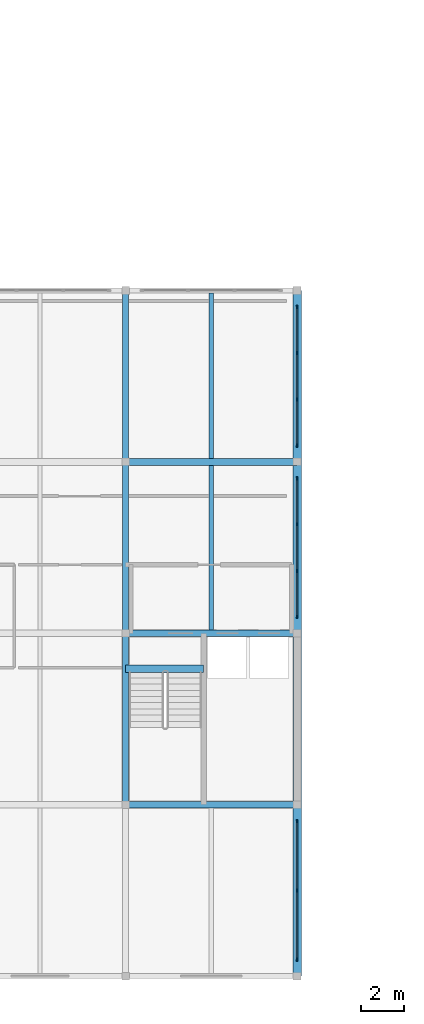
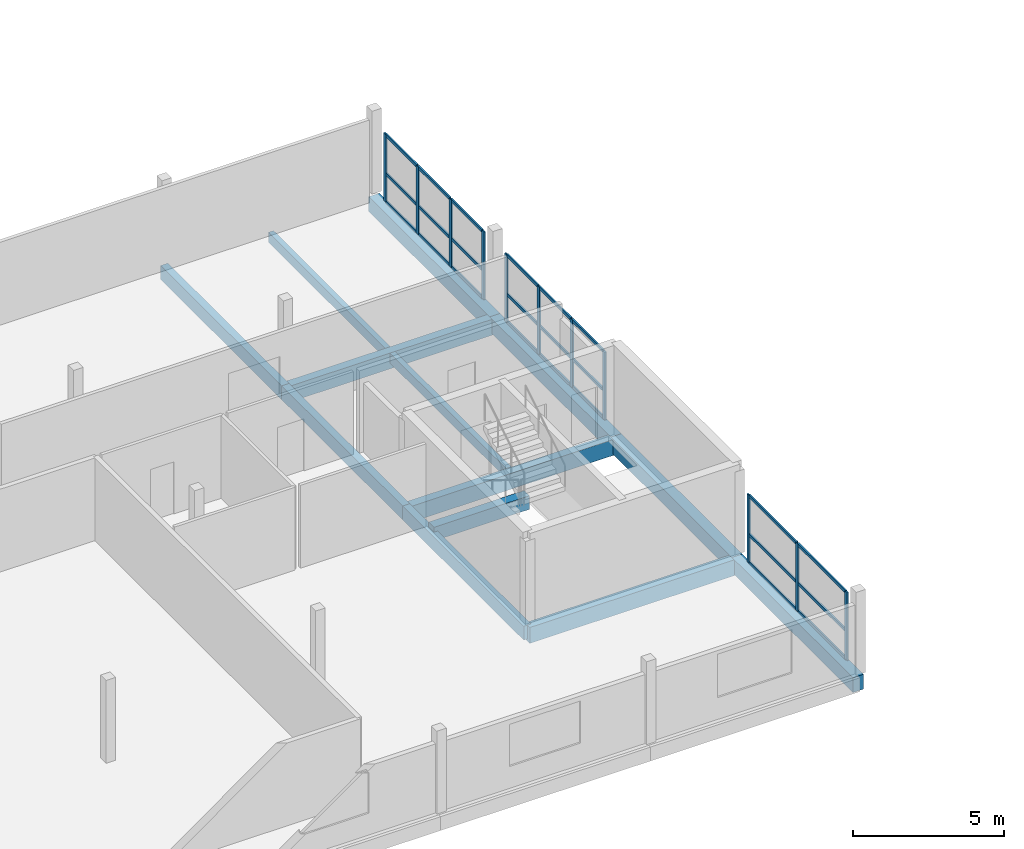
# One storey, part 5 of 22: 35 members, 13 beams, 3 elements without a shape of their own.
"""IFC4 building model written with IfcOpenShell, lengths in metres."""

from ifc_helpers import new_model, si_unit, direction, frame, origin, origin_2d, place, context, subcontext, project, spatial, rectangle, extrude, material, material_profile, profile_set, type_object, element, aggregate, save


model = new_model("IFC4")

# Units and contexts
model_context = context("Model", 3, precision=1e-05, world=origin(), true_north=direction((0.0, 1.0)))
body_context = subcontext(model_context, "Body", "Model", "MODEL_VIEW")
ifc_project = project(units=[si_unit("LENGTHUNIT", "METRE"), si_unit("AREAUNIT", "SQUARE_METRE"), si_unit("VOLUMEUNIT", "CUBIC_METRE"), si_unit("PLANEANGLEUNIT", "RADIAN"), si_unit("MASSUNIT", "GRAM", prefix="KILO")], contexts=[model_context])

# Site, building, storey
site_placement = place(None, origin())
site = spatial("IfcSite", under=ifc_project, at=site_placement, CompositionType="ELEMENT")
building_placement = place(site_placement, origin())
building = spatial("IfcBuilding", under=site, at=building_placement, Name="Vharandega Faculty of Natural Sciences", CompositionType="ELEMENT")
storey_placement = place(building_placement, frame((0.0, 0.0, 28.800048828125)))
storey = spatial("IfcBuildingStorey", under=building, at=storey_placement, Name="L07", CompositionType="ELEMENT", Elevation=28.800048828125)

# Curtain wall, members
ifc_material_1 = material(Name="Aluminium and solar-control glass curtain wall", Category="aluminium")
curtain_wall_type_1 = type_object("IfcCurtainWallType", Name="Unitised Curtain Wall System CW-04", PredefinedType="NOTDEFINED", material=ifc_material_1)
curtain_wall_1_placement = place(storey_placement, origin())
curtain_wall_1 = element("IfcCurtainWall", 1, at=curtain_wall_1_placement, inside=storey, type_object=curtain_wall_type_1, Name="Curtain Wall CW-L07-227", PredefinedType="NOTDEFINED")
ifc_material_2 = material(Name="Thermally broken aluminium 6063-T6", Category="aluminium")
ifc_material_profile_1 = material_profile(ifc_material_2, rectangle(XDim=0.06005859375, YDim=0.159912109375, at=origin_2d()), Name="ALU 60x160")
ifc_profile_set_1 = profile_set([ifc_material_profile_1], Name="Thermally broken aluminium 6063-T6")
member_type_1 = type_object("IfcMemberType", Name="CW Mullion 60x160", PredefinedType="MULLION", material=ifc_profile_set_1)
member_1_placement = place(storey_placement, frame((40.0, 32.77001953125, 0.0), z_axis=(0.0, 0.0, 1.0), x_axis=(-1.0, 0.0, 0.0)))
member_1 = element("IfcMember", 2, at=member_1_placement, type_object=member_type_1, Name="CW-04 mullion 1", PredefinedType="MULLION", context=body_context, shape_type="SweptSolid", body=[
    extrude(rectangle(XDim=0.06005859375, YDim=0.159912109375, at=origin_2d()), origin(), (0.0, 0.0, 1.0), 2.739990234375),
])
member_2_placement = place(storey_placement, frame((40.0, 36.0, 0.0), z_axis=(0.0, 0.0, 1.0), x_axis=(-1.0, 0.0, 0.0)))
member_2 = element("IfcMember", 3, at=member_2_placement, type_object=member_type_1, Name="CW-04 mullion 2", PredefinedType="MULLION", context=body_context, shape_type="SweptSolid", body=[
    extrude(rectangle(XDim=0.06005859375, YDim=0.159912109375, at=origin_2d()), origin(), (0.0, 0.0, 1.0), 2.739990234375),
])
member_3_placement = place(storey_placement, frame((40.0, 39.22998046875, 0.0), z_axis=(0.0, 0.0, 1.0), x_axis=(-1.0, 0.0, 0.0)))
member_3 = element("IfcMember", 4, at=member_3_placement, type_object=member_type_1, Name="CW-04 mullion 3", PredefinedType="MULLION", context=body_context, shape_type="SweptSolid", body=[
    extrude(rectangle(XDim=0.06005859375, YDim=0.159912109375, at=origin_2d()), origin(), (0.0, 0.0, 1.0), 2.739990234375),
])

ifc_material_3 = material(Name="Aluminium and solar-control glass curtain wall", Category="aluminium")
curtain_wall_type_2 = type_object("IfcCurtainWallType", Name="Unitised Curtain Wall System CW-05", PredefinedType="NOTDEFINED", material=ifc_material_3)
curtain_wall_2_placement = place(storey_placement, origin())
curtain_wall_2 = element("IfcCurtainWall", 5, at=curtain_wall_2_placement, inside=storey, type_object=curtain_wall_type_2, Name="Curtain Wall CW-L07-228", PredefinedType="NOTDEFINED")
member_4_placement = place(storey_placement, frame((40.0, 48.77001953125, 0.0), z_axis=(0.0, 0.0, 1.0), x_axis=(-1.0, 0.0, 0.0)))
member_4 = element("IfcMember", 6, at=member_4_placement, type_object=member_type_1, Name="CW-05 mullion 1", PredefinedType="MULLION", context=body_context, shape_type="SweptSolid", body=[
    extrude(rectangle(XDim=0.06005859375, YDim=0.159912109375, at=origin_2d()), origin(), (0.0, 0.0, 1.0), 2.739990234375),
])
member_5_placement = place(storey_placement, frame((40.0, 50.913330078125, 0.0), z_axis=(0.0, 0.0, 1.0), x_axis=(-1.0, 0.0, 0.0)))
member_5 = element("IfcMember", 7, at=member_5_placement, type_object=member_type_1, Name="CW-05 mullion 2", PredefinedType="MULLION", context=body_context, shape_type="SweptSolid", body=[
    extrude(rectangle(XDim=0.06005859375, YDim=0.159912109375, at=origin_2d()), origin(), (0.0, 0.0, 1.0), 2.739990234375),
])
member_6_placement = place(storey_placement, frame((40.0, 53.086669921875, 0.0), z_axis=(0.0, 0.0, 1.0), x_axis=(-1.0, 0.0, 0.0)))
member_6 = element("IfcMember", 8, at=member_6_placement, type_object=member_type_1, Name="CW-05 mullion 3", PredefinedType="MULLION", context=body_context, shape_type="SweptSolid", body=[
    extrude(rectangle(XDim=0.06005859375, YDim=0.159912109375, at=origin_2d()), origin(), (0.0, 0.0, 1.0), 2.739990234375),
])
member_7_placement = place(storey_placement, frame((40.0, 55.22998046875, 0.0), z_axis=(0.0, 0.0, 1.0), x_axis=(-1.0, 0.0, 0.0)))
member_7 = element("IfcMember", 9, at=member_7_placement, type_object=member_type_1, Name="CW-05 mullion 4", PredefinedType="MULLION", context=body_context, shape_type="SweptSolid", body=[
    extrude(rectangle(XDim=0.06005859375, YDim=0.159912109375, at=origin_2d()), origin(), (0.0, 0.0, 1.0), 2.739990234375),
])

ifc_material_4 = material(Name="Aluminium and solar-control glass curtain wall", Category="aluminium")
curtain_wall_type_3 = type_object("IfcCurtainWallType", Name="Unitised Curtain Wall System CW-06", PredefinedType="NOTDEFINED", material=ifc_material_4)
curtain_wall_3_placement = place(storey_placement, origin())
curtain_wall_3 = element("IfcCurtainWall", 10, at=curtain_wall_3_placement, inside=storey, type_object=curtain_wall_type_3, Name="Curtain Wall CW-L07-229", PredefinedType="NOTDEFINED")
member_8_placement = place(storey_placement, frame((40.0, 56.77001953125, 0.0), z_axis=(0.0, 0.0, 1.0), x_axis=(-1.0, 0.0, 0.0)))
member_8 = element("IfcMember", 11, at=member_8_placement, type_object=member_type_1, Name="CW-06 mullion 1", PredefinedType="MULLION", context=body_context, shape_type="SweptSolid", body=[
    extrude(rectangle(XDim=0.06005859375, YDim=0.159912109375, at=origin_2d()), origin(), (0.0, 0.0, 1.0), 2.739990234375),
])
member_9_placement = place(storey_placement, frame((40.0, 58.913330078125, 0.0), z_axis=(0.0, 0.0, 1.0), x_axis=(-1.0, 0.0, 0.0)))
member_9 = element("IfcMember", 12, at=member_9_placement, type_object=member_type_1, Name="CW-06 mullion 2", PredefinedType="MULLION", context=body_context, shape_type="SweptSolid", body=[
    extrude(rectangle(XDim=0.06005859375, YDim=0.159912109375, at=origin_2d()), origin(), (0.0, 0.0, 1.0), 2.739990234375),
])
member_10_placement = place(storey_placement, frame((40.0, 61.086669921875, 0.0), z_axis=(0.0, 0.0, 1.0), x_axis=(-1.0, 0.0, 0.0)))
member_10 = element("IfcMember", 13, at=member_10_placement, type_object=member_type_1, Name="CW-06 mullion 3", PredefinedType="MULLION", context=body_context, shape_type="SweptSolid", body=[
    extrude(rectangle(XDim=0.06005859375, YDim=0.159912109375, at=origin_2d()), origin(), (0.0, 0.0, 1.0), 2.739990234375),
])
member_11_placement = place(storey_placement, frame((40.0, 63.22998046875, 0.0), z_axis=(0.0, 0.0, 1.0), x_axis=(-1.0, 0.0, 0.0)))
member_11 = element("IfcMember", 14, at=member_11_placement, type_object=member_type_1, Name="CW-06 mullion 4", PredefinedType="MULLION", context=body_context, shape_type="SweptSolid", body=[
    extrude(rectangle(XDim=0.06005859375, YDim=0.159912109375, at=origin_2d()), origin(), (0.0, 0.0, 1.0), 2.739990234375),
])

# Member
ifc_material_5 = material(Name="Thermally broken aluminium 6063-T6", Category="aluminium")
ifc_material_profile_2 = material_profile(ifc_material_5, rectangle(XDim=0.06005859375, YDim=0.1201171875, at=origin_2d()), Name="ALU 60x120")
ifc_profile_set_2 = profile_set([ifc_material_profile_2], Name="Thermally broken aluminium 6063-T6")
member_type_2 = type_object("IfcMemberType", Name="CW Transom 60x120", PredefinedType="USERDEFINED", material=ifc_profile_set_2)
member_12_placement = place(storey_placement, frame((40.0, 32.800048828125, 0.030029296875), z_axis=(0.0, 1.0, 0.0), x_axis=(-1.0, 0.0, 0.0)))
member_12 = element("IfcMember", 15, at=member_12_placement, type_object=member_type_2, Name="CW-04 transom 1.1", ObjectType="TRANSOM", PredefinedType="USERDEFINED", context=body_context, shape_type="SweptSolid", body=[
    extrude(rectangle(XDim=0.06005859375, YDim=0.1201171875, at=origin_2d()), origin(), (0.0, 0.0, 1.0), 3.169921875),
])

member_13_placement = place(storey_placement, frame((40.0, 32.800048828125, 1.150634765625), z_axis=(0.0, 1.0, 0.0), x_axis=(-1.0, 0.0, 0.0)))
member_13 = element("IfcMember", 16, at=member_13_placement, type_object=member_type_2, Name="CW-04 transom 1.2", ObjectType="TRANSOM", PredefinedType="USERDEFINED", context=body_context, shape_type="SweptSolid", body=[
    extrude(rectangle(XDim=0.06005859375, YDim=0.1201171875, at=origin_2d()), origin(), (0.0, 0.0, 1.0), 3.169921875),
])

member_14_placement = place(storey_placement, frame((40.0, 32.800048828125, 2.7099609375), z_axis=(0.0, 1.0, 0.0), x_axis=(-1.0, 0.0, 0.0)))
member_14 = element("IfcMember", 17, at=member_14_placement, type_object=member_type_2, Name="CW-04 transom 1.3", ObjectType="TRANSOM", PredefinedType="USERDEFINED", context=body_context, shape_type="SweptSolid", body=[
    extrude(rectangle(XDim=0.06005859375, YDim=0.1201171875, at=origin_2d()), origin(), (0.0, 0.0, 1.0), 3.169921875),
])

member_15_placement = place(storey_placement, frame((40.0, 36.030029296875, 0.030029296875), z_axis=(0.0, 1.0, 0.0), x_axis=(-1.0, 0.0, 0.0)))
member_15 = element("IfcMember", 18, at=member_15_placement, type_object=member_type_2, Name="CW-04 transom 2.1", ObjectType="TRANSOM", PredefinedType="USERDEFINED", context=body_context, shape_type="SweptSolid", body=[
    extrude(rectangle(XDim=0.06005859375, YDim=0.1201171875, at=origin_2d()), origin(), (0.0, 0.0, 1.0), 3.169921875),
])

member_16_placement = place(storey_placement, frame((40.0, 36.030029296875, 1.150634765625), z_axis=(0.0, 1.0, 0.0), x_axis=(-1.0, 0.0, 0.0)))
member_16 = element("IfcMember", 19, at=member_16_placement, type_object=member_type_2, Name="CW-04 transom 2.2", ObjectType="TRANSOM", PredefinedType="USERDEFINED", context=body_context, shape_type="SweptSolid", body=[
    extrude(rectangle(XDim=0.06005859375, YDim=0.1201171875, at=origin_2d()), origin(), (0.0, 0.0, 1.0), 3.169921875),
])

member_17_placement = place(storey_placement, frame((40.0, 36.030029296875, 2.7099609375), z_axis=(0.0, 1.0, 0.0), x_axis=(-1.0, 0.0, 0.0)))
member_17 = element("IfcMember", 20, at=member_17_placement, type_object=member_type_2, Name="CW-04 transom 2.3", ObjectType="TRANSOM", PredefinedType="USERDEFINED", context=body_context, shape_type="SweptSolid", body=[
    extrude(rectangle(XDim=0.06005859375, YDim=0.1201171875, at=origin_2d()), origin(), (0.0, 0.0, 1.0), 3.169921875),
])

aggregate(curtain_wall_1, [member_1, member_2, member_3, member_12, member_13, member_14, member_15, member_16, member_17])

member_18_placement = place(storey_placement, frame((40.0, 48.800048828125, 0.030029296875), z_axis=(0.0, 1.0, 0.0), x_axis=(-1.0, 0.0, 0.0)))
member_18 = element("IfcMember", 21, at=member_18_placement, type_object=member_type_2, Name="CW-05 transom 1.1", ObjectType="TRANSOM", PredefinedType="USERDEFINED", context=body_context, shape_type="SweptSolid", body=[
    extrude(rectangle(XDim=0.06005859375, YDim=0.1201171875, at=origin_2d()), origin(), (0.0, 0.0, 1.0), 2.083251953125),
])

member_19_placement = place(storey_placement, frame((40.0, 48.800048828125, 1.150634765625), z_axis=(0.0, 1.0, 0.0), x_axis=(-1.0, 0.0, 0.0)))
member_19 = element("IfcMember", 22, at=member_19_placement, type_object=member_type_2, Name="CW-05 transom 1.2", ObjectType="TRANSOM", PredefinedType="USERDEFINED", context=body_context, shape_type="SweptSolid", body=[
    extrude(rectangle(XDim=0.06005859375, YDim=0.1201171875, at=origin_2d()), origin(), (0.0, 0.0, 1.0), 2.083251953125),
])

member_20_placement = place(storey_placement, frame((40.0, 48.800048828125, 2.7099609375), z_axis=(0.0, 1.0, 0.0), x_axis=(-1.0, 0.0, 0.0)))
member_20 = element("IfcMember", 23, at=member_20_placement, type_object=member_type_2, Name="CW-05 transom 1.3", ObjectType="TRANSOM", PredefinedType="USERDEFINED", context=body_context, shape_type="SweptSolid", body=[
    extrude(rectangle(XDim=0.06005859375, YDim=0.1201171875, at=origin_2d()), origin(), (0.0, 0.0, 1.0), 2.083251953125),
])

member_21_placement = place(storey_placement, frame((40.0, 50.943359375, 0.030029296875), z_axis=(0.0, 1.0, 0.0), x_axis=(-1.0, 0.0, 0.0)))
member_21 = element("IfcMember", 24, at=member_21_placement, type_object=member_type_2, Name="CW-05 transom 2.1", ObjectType="TRANSOM", PredefinedType="USERDEFINED", context=body_context, shape_type="SweptSolid", body=[
    extrude(rectangle(XDim=0.06005859375, YDim=0.1201171875, at=origin_2d()), origin(), (0.0, 0.0, 1.0), 2.11328125),
])

member_22_placement = place(storey_placement, frame((40.0, 50.943359375, 1.150634765625), z_axis=(0.0, 1.0, 0.0), x_axis=(-1.0, 0.0, 0.0)))
member_22 = element("IfcMember", 25, at=member_22_placement, type_object=member_type_2, Name="CW-05 transom 2.2", ObjectType="TRANSOM", PredefinedType="USERDEFINED", context=body_context, shape_type="SweptSolid", body=[
    extrude(rectangle(XDim=0.06005859375, YDim=0.1201171875, at=origin_2d()), origin(), (0.0, 0.0, 1.0), 2.11328125),
])

member_23_placement = place(storey_placement, frame((40.0, 50.943359375, 2.7099609375), z_axis=(0.0, 1.0, 0.0), x_axis=(-1.0, 0.0, 0.0)))
member_23 = element("IfcMember", 26, at=member_23_placement, type_object=member_type_2, Name="CW-05 transom 2.3", ObjectType="TRANSOM", PredefinedType="USERDEFINED", context=body_context, shape_type="SweptSolid", body=[
    extrude(rectangle(XDim=0.06005859375, YDim=0.1201171875, at=origin_2d()), origin(), (0.0, 0.0, 1.0), 2.11328125),
])

member_24_placement = place(storey_placement, frame((40.0, 53.11669921875, 0.030029296875), z_axis=(0.0, 1.0, 0.0), x_axis=(-1.0, 0.0, 0.0)))
member_24 = element("IfcMember", 27, at=member_24_placement, type_object=member_type_2, Name="CW-05 transom 3.1", ObjectType="TRANSOM", PredefinedType="USERDEFINED", context=body_context, shape_type="SweptSolid", body=[
    extrude(rectangle(XDim=0.06005859375, YDim=0.1201171875, at=origin_2d()), origin(), (0.0, 0.0, 1.0), 2.083251953125),
])

member_25_placement = place(storey_placement, frame((40.0, 53.11669921875, 1.150634765625), z_axis=(0.0, 1.0, 0.0), x_axis=(-1.0, 0.0, 0.0)))
member_25 = element("IfcMember", 28, at=member_25_placement, type_object=member_type_2, Name="CW-05 transom 3.2", ObjectType="TRANSOM", PredefinedType="USERDEFINED", context=body_context, shape_type="SweptSolid", body=[
    extrude(rectangle(XDim=0.06005859375, YDim=0.1201171875, at=origin_2d()), origin(), (0.0, 0.0, 1.0), 2.083251953125),
])

member_26_placement = place(storey_placement, frame((40.0, 53.11669921875, 2.7099609375), z_axis=(0.0, 1.0, 0.0), x_axis=(-1.0, 0.0, 0.0)))
member_26 = element("IfcMember", 29, at=member_26_placement, type_object=member_type_2, Name="CW-05 transom 3.3", ObjectType="TRANSOM", PredefinedType="USERDEFINED", context=body_context, shape_type="SweptSolid", body=[
    extrude(rectangle(XDim=0.06005859375, YDim=0.1201171875, at=origin_2d()), origin(), (0.0, 0.0, 1.0), 2.083251953125),
])

aggregate(curtain_wall_2, [member_4, member_5, member_6, member_7, member_18, member_19, member_20, member_21, member_22, member_23, member_24, member_25, member_26])

member_27_placement = place(storey_placement, frame((40.0, 56.800048828125, 0.030029296875), z_axis=(0.0, 1.0, 0.0), x_axis=(-1.0, 0.0, 0.0)))
member_27 = element("IfcMember", 30, at=member_27_placement, type_object=member_type_2, Name="CW-06 transom 1.1", ObjectType="TRANSOM", PredefinedType="USERDEFINED", context=body_context, shape_type="SweptSolid", body=[
    extrude(rectangle(XDim=0.06005859375, YDim=0.1201171875, at=origin_2d()), origin(), (0.0, 0.0, 1.0), 2.083251953125),
])

member_28_placement = place(storey_placement, frame((40.0, 56.800048828125, 1.150634765625), z_axis=(0.0, 1.0, 0.0), x_axis=(-1.0, 0.0, 0.0)))
member_28 = element("IfcMember", 31, at=member_28_placement, type_object=member_type_2, Name="CW-06 transom 1.2", ObjectType="TRANSOM", PredefinedType="USERDEFINED", context=body_context, shape_type="SweptSolid", body=[
    extrude(rectangle(XDim=0.06005859375, YDim=0.1201171875, at=origin_2d()), origin(), (0.0, 0.0, 1.0), 2.083251953125),
])

member_29_placement = place(storey_placement, frame((40.0, 56.800048828125, 2.7099609375), z_axis=(0.0, 1.0, 0.0), x_axis=(-1.0, 0.0, 0.0)))
member_29 = element("IfcMember", 32, at=member_29_placement, type_object=member_type_2, Name="CW-06 transom 1.3", ObjectType="TRANSOM", PredefinedType="USERDEFINED", context=body_context, shape_type="SweptSolid", body=[
    extrude(rectangle(XDim=0.06005859375, YDim=0.1201171875, at=origin_2d()), origin(), (0.0, 0.0, 1.0), 2.083251953125),
])

member_30_placement = place(storey_placement, frame((40.0, 58.943359375, 0.030029296875), z_axis=(0.0, 1.0, 0.0), x_axis=(-1.0, 0.0, 0.0)))
member_30 = element("IfcMember", 33, at=member_30_placement, type_object=member_type_2, Name="CW-06 transom 2.1", ObjectType="TRANSOM", PredefinedType="USERDEFINED", context=body_context, shape_type="SweptSolid", body=[
    extrude(rectangle(XDim=0.06005859375, YDim=0.1201171875, at=origin_2d()), origin(), (0.0, 0.0, 1.0), 2.11328125),
])

member_31_placement = place(storey_placement, frame((40.0, 58.943359375, 1.150634765625), z_axis=(0.0, 1.0, 0.0), x_axis=(-1.0, 0.0, 0.0)))
member_31 = element("IfcMember", 34, at=member_31_placement, type_object=member_type_2, Name="CW-06 transom 2.2", ObjectType="TRANSOM", PredefinedType="USERDEFINED", context=body_context, shape_type="SweptSolid", body=[
    extrude(rectangle(XDim=0.06005859375, YDim=0.1201171875, at=origin_2d()), origin(), (0.0, 0.0, 1.0), 2.11328125),
])

member_32_placement = place(storey_placement, frame((40.0, 58.943359375, 2.7099609375), z_axis=(0.0, 1.0, 0.0), x_axis=(-1.0, 0.0, 0.0)))
member_32 = element("IfcMember", 35, at=member_32_placement, type_object=member_type_2, Name="CW-06 transom 2.3", ObjectType="TRANSOM", PredefinedType="USERDEFINED", context=body_context, shape_type="SweptSolid", body=[
    extrude(rectangle(XDim=0.06005859375, YDim=0.1201171875, at=origin_2d()), origin(), (0.0, 0.0, 1.0), 2.11328125),
])

member_33_placement = place(storey_placement, frame((40.0, 61.11669921875, 0.030029296875), z_axis=(0.0, 1.0, 0.0), x_axis=(-1.0, 0.0, 0.0)))
member_33 = element("IfcMember", 36, at=member_33_placement, type_object=member_type_2, Name="CW-06 transom 3.1", ObjectType="TRANSOM", PredefinedType="USERDEFINED", context=body_context, shape_type="SweptSolid", body=[
    extrude(rectangle(XDim=0.06005859375, YDim=0.1201171875, at=origin_2d()), origin(), (0.0, 0.0, 1.0), 2.083251953125),
])

member_34_placement = place(storey_placement, frame((40.0, 61.11669921875, 1.150634765625), z_axis=(0.0, 1.0, 0.0), x_axis=(-1.0, 0.0, 0.0)))
member_34 = element("IfcMember", 37, at=member_34_placement, type_object=member_type_2, Name="CW-06 transom 3.2", ObjectType="TRANSOM", PredefinedType="USERDEFINED", context=body_context, shape_type="SweptSolid", body=[
    extrude(rectangle(XDim=0.06005859375, YDim=0.1201171875, at=origin_2d()), origin(), (0.0, 0.0, 1.0), 2.083251953125),
])

member_35_placement = place(storey_placement, frame((40.0, 61.11669921875, 2.7099609375), z_axis=(0.0, 1.0, 0.0), x_axis=(-1.0, 0.0, 0.0)))
member_35 = element("IfcMember", 38, at=member_35_placement, type_object=member_type_2, Name="CW-06 transom 3.3", ObjectType="TRANSOM", PredefinedType="USERDEFINED", context=body_context, shape_type="SweptSolid", body=[
    extrude(rectangle(XDim=0.06005859375, YDim=0.1201171875, at=origin_2d()), origin(), (0.0, 0.0, 1.0), 2.083251953125),
])

aggregate(curtain_wall_3, [member_8, member_9, member_10, member_11, member_27, member_28, member_29, member_30, member_31, member_32, member_33, member_34, member_35])

# Beams
ifc_material_6 = material(Name="Glulam GL28h", Category="wood")
ifc_material_profile_3 = material_profile(ifc_material_6, rectangle(XDim=0.280029296875, YDim=0.56005859375, at=origin_2d()), Name="GL28h 280x560")
ifc_profile_set_3 = profile_set([ifc_material_profile_3], Name="Glulam GL28h")
beam_type_1 = type_object("IfcBeamType", Name="Glulam Floor Beam 280x560", PredefinedType="BEAM", material=ifc_profile_set_3)
for number, where, z_axis, x_axis, name in (
    (39, (32.0, 40.0, -0.47998046875), (0.0, 1.0, 0.0), (-1.0, 0.0, 0.0), "Beam L07 5/F-G"),
    (40, (32.0, 48.0, -0.47998046875), (0.0, 1.0, 0.0), (-1.0, 0.0, 0.0), "Beam L07 5/G-H"),
    (41, (32.0, 56.0, -0.47998046875), (0.0, 1.0, 0.0), (-1.0, 0.0, 0.0), "Beam L07 5/H-J"),
):
    element("IfcBeam", number, at=place(storey_placement, frame(where, z_axis=z_axis, x_axis=x_axis)), inside=storey, type_object=beam_type_1, Name=name, PredefinedType="BEAM", context=body_context, shape_type="SweptSolid", body=[
        extrude(rectangle(XDim=0.280029296875, YDim=0.56005859375, at=origin_2d()), origin(), (0.0, 0.0, 1.0), 8.0),
    ])
ifc_material_7 = material(Name="Glulam GL28h", Category="wood")
ifc_material_profile_4 = material_profile(ifc_material_7, rectangle(XDim=0.320068359375, YDim=0.639892578125, at=origin_2d()), Name="GL28h 320x640")
ifc_profile_set_4 = profile_set([ifc_material_profile_4], Name="Glulam GL28h")
beam_type_2 = type_object("IfcBeamType", Name="Glulam Floor Beam 320x640", PredefinedType="BEAM", material=ifc_profile_set_4)
for number, where, z_axis, x_axis, name in (
    (42, (32.0, 40.0, -0.52001953125), (1.0, 0.0, 0.0), (0.0, 1.0, 0.0), "Beam L07 F/5-6"),
    (43, (32.0, 48.0, -0.52001953125), (1.0, 0.0, 0.0), (0.0, 1.0, 0.0), "Beam L07 G/5-6"),
    (44, (32.0, 56.0, -0.52001953125), (1.0, 0.0, 0.0), (0.0, 1.0, 0.0), "Beam L07 H/5-6"),
):
    element("IfcBeam", number, at=place(storey_placement, frame(where, z_axis=z_axis, x_axis=x_axis)), inside=storey, type_object=beam_type_2, Name=name, PredefinedType="BEAM", context=body_context, shape_type="SweptSolid", body=[
        extrude(rectangle(XDim=0.320068359375, YDim=0.639892578125, at=origin_2d()), origin(), (0.0, 0.0, 1.0), 8.0),
    ])
ifc_material_8 = material(Name="Glulam GL28h", Category="wood")
ifc_material_profile_5 = material_profile(ifc_material_8, rectangle(XDim=0.199951171875, YDim=0.39990234375, at=origin_2d()), Name="GL28h 200x400")
ifc_profile_set_5 = profile_set([ifc_material_profile_5], Name="Glulam GL28h")
beam_type_3 = type_object("IfcBeamType", Name="Glulam Secondary Joist 200x400", PredefinedType="JOIST", material=ifc_profile_set_5)
beam_1_placement = place(storey_placement, frame((36.0, 48.159912109375, -0.400146484375), z_axis=(0.0, 1.0, 0.0), x_axis=(-1.0, 0.0, 0.0)))
element("IfcBeam", 45, at=beam_1_placement, inside=storey, type_object=beam_type_3, Name="Secondary Joist L07 5-6/G-H", PredefinedType="JOIST", context=body_context, shape_type="SweptSolid", body=[
    extrude(rectangle(XDim=0.199951171875, YDim=0.39990234375, at=origin_2d()), origin(), (0.0, 0.0, 1.0), 7.68017578125),
])
beam_2_placement = place(storey_placement, frame((36.0, 56.159912109375, -0.400146484375), z_axis=(0.0, 1.0, 0.0), x_axis=(-1.0, 0.0, 0.0)))
element("IfcBeam", 46, at=beam_2_placement, inside=storey, type_object=beam_type_3, Name="Secondary Joist L07 5-6/H-J", PredefinedType="JOIST", context=body_context, shape_type="SweptSolid", body=[
    extrude(rectangle(XDim=0.199951171875, YDim=0.39990234375, at=origin_2d()), origin(), (0.0, 0.0, 1.0), 7.719970703125),
])
ifc_material_9 = material(Name="Glulam GL32h", Category="wood")
ifc_material_profile_6 = material_profile(ifc_material_9, rectangle(XDim=0.39990234375, YDim=0.60009765625, at=origin_2d()), Name="GL32h 400x600")
ifc_profile_set_6 = profile_set([ifc_material_profile_6], Name="Glulam GL32h")
beam_type_4 = type_object("IfcBeamType", Name="Glulam Spine Girder 400x600", PredefinedType="BEAM", material=ifc_profile_set_6)
for number, where, z_axis, x_axis, name in (
    (47, (40.0, 32.0, -0.5), (0.0, 1.0, 0.0), (-1.0, 0.0, 0.0), "Beam L07 6/E-F"),
    (48, (40.0, 40.0, -0.5), (0.0, 1.0, 0.0), (-1.0, 0.0, 0.0), "Beam L07 6/F-G"),
    (49, (40.0, 48.0, -0.5), (0.0, 1.0, 0.0), (-1.0, 0.0, 0.0), "Beam L07 6/G-H"),
    (50, (40.0, 56.0, -0.5), (0.0, 1.0, 0.0), (-1.0, 0.0, 0.0), "Beam L07 6/H-J"),
):
    element("IfcBeam", number, at=place(storey_placement, frame(where, z_axis=z_axis, x_axis=x_axis)), inside=storey, type_object=beam_type_4, Name=name, PredefinedType="BEAM", context=body_context, shape_type="SweptSolid", body=[
        extrude(rectangle(XDim=0.39990234375, YDim=0.60009765625, at=origin_2d()), origin(), (0.0, 0.0, 1.0), 8.0),
    ])
ifc_material_10 = material(Name="Concrete C40/50", Category="concrete")
ifc_material_profile_7 = material_profile(ifc_material_10, rectangle(XDim=0.35009765625, YDim=0.550048828125, at=origin_2d()), Name="RC 350x550")
ifc_profile_set_7 = profile_set([ifc_material_profile_7], Name="Concrete C40/50")
beam_type_5 = type_object("IfcBeamType", Name="Stair Header Trimmer Beam 350x550", PredefinedType="BEAM", material=ifc_profile_set_7)
beam_3_placement = place(storey_placement, frame((32.0, 46.35009765625, -0.275146484375), z_axis=(1.0, 0.0, 0.0), x_axis=(0.0, 1.0, 0.0)))
element("IfcBeam", 51, at=beam_3_placement, inside=storey, type_object=beam_type_5, Name="Stair Landing Trimmer Beam C3 L07", PredefinedType="BEAM", context=body_context, shape_type="SweptSolid", body=[
    extrude(rectangle(XDim=0.35009765625, YDim=0.550048828125, at=origin_2d()), origin(), (0.0, 0.0, 1.0), 3.639892578125),
])

save(model, "model.ifc")
